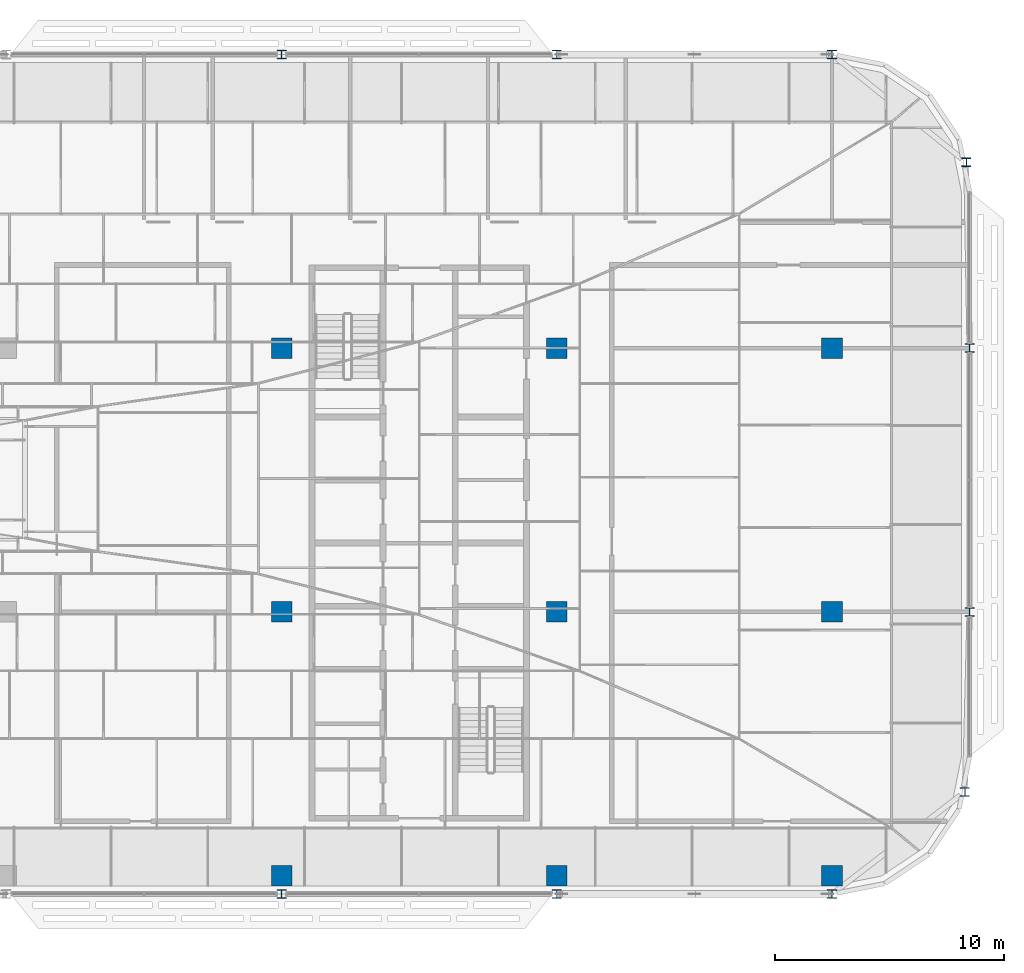
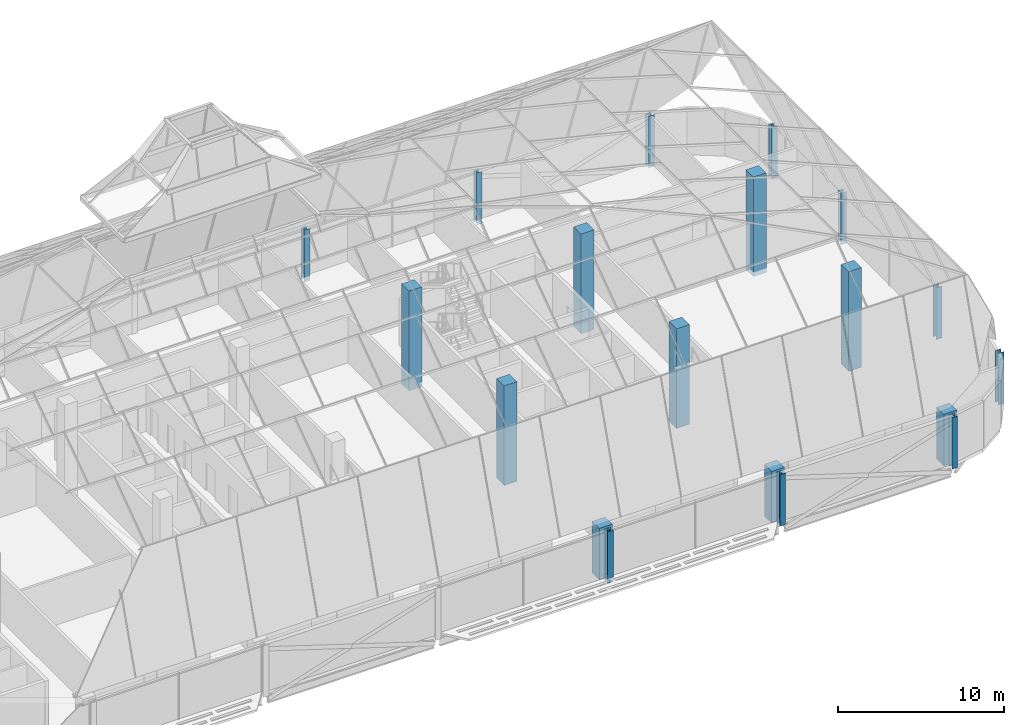
# One storey, part 4 of 39: 19 columns.
"""IFC4 building model written with IfcOpenShell, lengths in metres."""

from ifc_helpers import new_model, si_unit, direction, frame, origin, origin_2d, place, context, subcontext, project, spatial, rectangle, i_section, extrude, material, material_profile, profile_set, type_object, element, save


model = new_model("IFC4")

# Units and contexts
model_context = context("Model", 3, precision=1e-05, world=origin(), true_north=direction((0.0, 1.0)))
body_context = subcontext(model_context, "Body", "Model", "MODEL_VIEW")
ifc_project = project(units=[si_unit("LENGTHUNIT", "METRE"), si_unit("AREAUNIT", "SQUARE_METRE"), si_unit("VOLUMEUNIT", "CUBIC_METRE"), si_unit("PLANEANGLEUNIT", "RADIAN"), si_unit("MASSUNIT", "GRAM", prefix="KILO")], contexts=[model_context])

# Site, building, storey
site_placement = place(None, origin())
site = spatial("IfcSite", under=ifc_project, at=site_placement, CompositionType="ELEMENT")
building_placement = place(site_placement, origin())
building = spatial("IfcBuilding", under=site, at=building_placement, Name="Mahtab Terrace Research Tower", CompositionType="ELEMENT")
storey_placement = place(building_placement, frame((0.0, 0.0, 282.300048828125)))
storey = spatial("IfcBuildingStorey", under=building, at=storey_placement, Name="L69", CompositionType="ELEMENT", Elevation=282.300048828125)

# Columns
ifc_material_1 = material(Name="Concrete C70/85", Category="concrete")
ifc_material_profile_1 = material_profile(ifc_material_1, rectangle(XDim=0.89990234375, YDim=0.89990234375, at=origin_2d()), Name="RC column 900x900")
ifc_profile_set_1 = profile_set([ifc_material_profile_1], Name="Concrete C70/85")
column_type_1 = type_object("IfcColumnType", Name="RC column 900x900", PredefinedType="COLUMN", material=ifc_profile_set_1)
column_1_placement = place(storey_placement, frame((18.0, -11.5, -0.340087890625), z_axis=(0.0, 0.0, 1.0), x_axis=(1.0, 0.0, 0.0)))
element("IfcColumn", 1, at=column_1_placement, inside=storey, type_object=column_type_1, Name="Column RC-6A L69", PredefinedType="COLUMN", context=body_context, shape_type="SweptSolid", body=[
    extrude(rectangle(XDim=0.89990234375, YDim=0.89990234375, at=origin_2d()), origin(), (0.0, 0.0, 1.0), 3.800048828125),
])
for number, where, z_axis, x_axis, name in (
    (2, (18.0, 0.0, -0.340087890625), (0.0, 0.0, 1.0), (1.0, 0.0, 0.0), "Column RC-6B L69"),
    (3, (18.0, 11.5, -0.340087890625), (0.0, 0.0, 1.0), (1.0, 0.0, 0.0), "Column RC-6C L69"),
):
    element("IfcColumn", number, at=place(storey_placement, frame(where, z_axis=z_axis, x_axis=x_axis)), inside=storey, type_object=column_type_1, Name=name, PredefinedType="COLUMN", context=body_context, shape_type="SweptSolid", body=[
        extrude(rectangle(XDim=0.89990234375, YDim=0.89990234375, at=origin_2d()), origin(), (0.0, 0.0, 1.0), 7.340087890625),
    ])
column_2_placement = place(storey_placement, frame((30.0, -11.5, -0.340087890625), z_axis=(0.0, 0.0, 1.0), x_axis=(1.0, 0.0, 0.0)))
element("IfcColumn", 4, at=column_2_placement, inside=storey, type_object=column_type_1, Name="Column RC-7A L69", PredefinedType="COLUMN", context=body_context, shape_type="SweptSolid", body=[
    extrude(rectangle(XDim=0.89990234375, YDim=0.89990234375, at=origin_2d()), origin(), (0.0, 0.0, 1.0), 3.800048828125),
])
for number, where, z_axis, x_axis, name in (
    (5, (30.0, 0.0, -0.340087890625), (0.0, 0.0, 1.0), (1.0, 0.0, 0.0), "Column RC-7B L69"),
    (6, (30.0, 11.5, -0.340087890625), (0.0, 0.0, 1.0), (1.0, 0.0, 0.0), "Column RC-7C L69"),
):
    element("IfcColumn", number, at=place(storey_placement, frame(where, z_axis=z_axis, x_axis=x_axis)), inside=storey, type_object=column_type_1, Name=name, PredefinedType="COLUMN", context=body_context, shape_type="SweptSolid", body=[
        extrude(rectangle(XDim=0.89990234375, YDim=0.89990234375, at=origin_2d()), origin(), (0.0, 0.0, 1.0), 7.340087890625),
    ])
column_3_placement = place(storey_placement, frame((42.0, -11.5, -0.340087890625), z_axis=(0.0, 0.0, 1.0), x_axis=(1.0, 0.0, 0.0)))
element("IfcColumn", 7, at=column_3_placement, inside=storey, type_object=column_type_1, Name="Column RC-8A L69", PredefinedType="COLUMN", context=body_context, shape_type="SweptSolid", body=[
    extrude(rectangle(XDim=0.89990234375, YDim=0.89990234375, at=origin_2d()), origin(), (0.0, 0.0, 1.0), 3.800048828125),
])
for number, where, z_axis, x_axis, name in (
    (8, (42.0, 0.0, -0.340087890625), (0.0, 0.0, 1.0), (1.0, 0.0, 0.0), "Column RC-8B L69"),
    (9, (42.0, 11.5, -0.340087890625), (0.0, 0.0, 1.0), (1.0, 0.0, 0.0), "Column RC-8C L69"),
):
    element("IfcColumn", number, at=place(storey_placement, frame(where, z_axis=z_axis, x_axis=x_axis)), inside=storey, type_object=column_type_1, Name=name, PredefinedType="COLUMN", context=body_context, shape_type="SweptSolid", body=[
        extrude(rectangle(XDim=0.89990234375, YDim=0.89990234375, at=origin_2d()), origin(), (0.0, 0.0, 1.0), 7.340087890625),
    ])
ifc_material_2 = material(Name="Steel ASTM A992 Gr 50", Category="steel")
ifc_material_profile_2 = material_profile(ifc_material_2, i_section(OverallWidth=0.393798828125, OverallDepth=0.3759765625, WebThickness=0.017333984375, FlangeThickness=0.027587890625, at=origin_2d()), Name="W14X145")
ifc_profile_set_2 = profile_set([ifc_material_profile_2], Name="Steel ASTM A992 Gr 50")
column_type_2 = type_object("IfcColumnType", Name="W14x145 column CS14145", PredefinedType="COLUMN", material=ifc_profile_set_2)
for number, where, z_axis, x_axis, name in (
    (10, (47.85693359375, 19.60498046875, -0.340087890625), (0.0, 0.0, 1.0), (1.0, 0.0, 0.0), "Column SC-070 L69"),
    (11, (42.0, 24.306884765625, -0.340087890625), (0.0, 0.0, 1.0), (1.0, 0.0, 0.0), "Column SC-071 L69"),
    (12, (30.0, 24.306884765625, -0.340087890625), (0.0, 0.0, 1.0), (1.0, 0.0, 0.0), "Column SC-072 L69"),
    (13, (18.0, 24.306884765625, -0.340087890625), (0.0, 0.0, 1.0), (1.0, 0.0, 0.0), "Column SC-073 L69"),
    (14, (18.0, -12.306884765625, -0.340087890625), (0.0, 0.0, 1.0), (1.0, 0.0, 0.0), "Column SC-086 L69"),
    (15, (30.0, -12.306884765625, -0.340087890625), (0.0, 0.0, 1.0), (1.0, 0.0, 0.0), "Column SC-087 L69"),
    (16, (42.0, -12.306884765625, -0.340087890625), (0.0, 0.0, 1.0), (1.0, 0.0, 0.0), "Column SC-088 L69"),
    (17, (47.798095703125, -7.847900390625, -0.340087890625), (0.0, 0.0, 1.0), (1.0, 0.0, 0.0), "Column SC-089 L69"),
    (18, (48.0, 0.0, -0.340087890625), (0.0, 0.0, 1.0), (1.0, 0.0, 0.0), "Column SC-021 L69"),
    (19, (48.0, 11.5, -0.340087890625), (0.0, 0.0, 1.0), (1.0, 0.0, 0.0), "Column SC-022 L69"),
):
    element("IfcColumn", number, at=place(storey_placement, frame(where, z_axis=z_axis, x_axis=x_axis)), inside=storey, type_object=column_type_2, Name=name, PredefinedType="COLUMN", context=body_context, shape_type="SweptSolid", body=[
        extrude(i_section(OverallWidth=0.393798828125, OverallDepth=0.3759765625, WebThickness=0.017333984375, FlangeThickness=0.027587890625, at=origin_2d()), origin(), (0.0, 0.0, 1.0), 3.800048828125),
    ])

save(model, "model.ifc")
